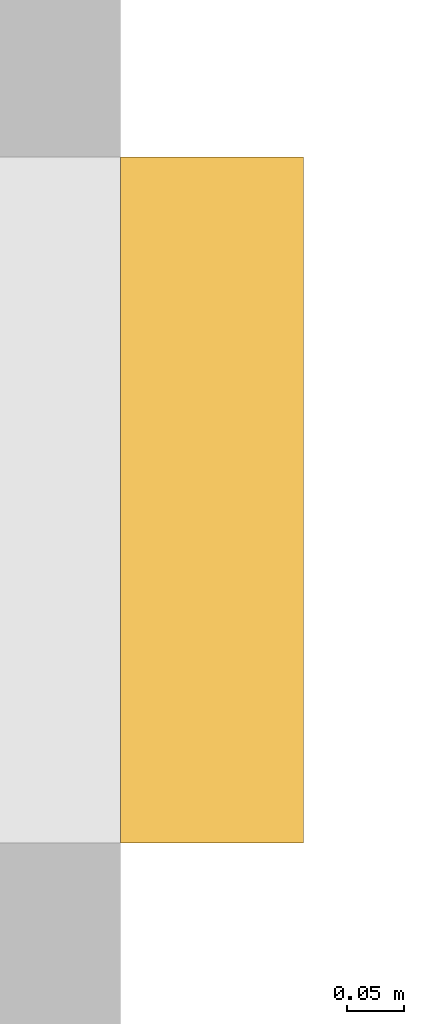
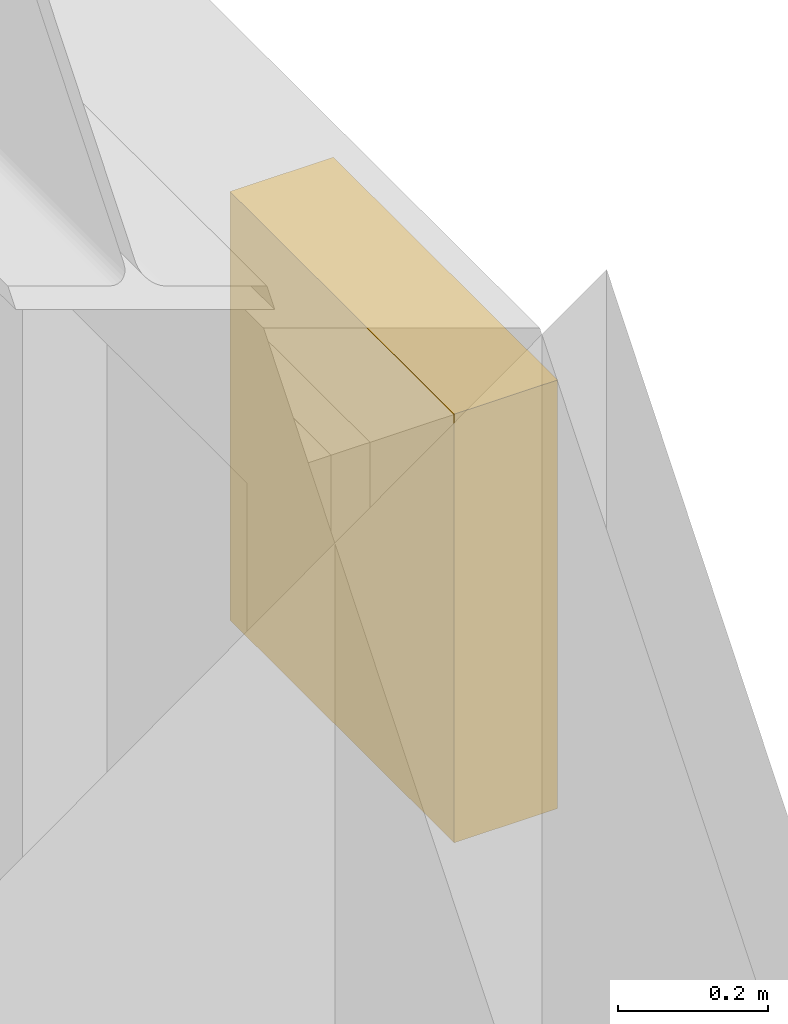
# One storey, part 12 of 12: 1 shading device.
"""IFC4 building model written with IfcOpenShell, lengths in metres."""

from ifc_helpers import new_model, si_unit, direction, frame, origin, origin_2d, place, context, subcontext, project, spatial, rectangle, extrude, material, type_object, element, save


model = new_model("IFC4")

# Units and contexts
model_context = context("Model", 3, precision=1e-05, world=origin(), true_north=direction((0.0, 1.0)))
body_context = subcontext(model_context, "Body", "Model", "MODEL_VIEW")
ifc_project = project(units=[si_unit("LENGTHUNIT", "METRE"), si_unit("AREAUNIT", "SQUARE_METRE"), si_unit("VOLUMEUNIT", "CUBIC_METRE"), si_unit("PLANEANGLEUNIT", "RADIAN"), si_unit("MASSUNIT", "GRAM", prefix="KILO")], contexts=[model_context])

# Site, building, storey
site_placement = place(None, origin())
site = spatial("IfcSite", under=ifc_project, at=site_placement, CompositionType="ELEMENT")
building_placement = place(site_placement, origin())
building = spatial("IfcBuilding", under=site, at=building_placement, Name="Orvandelia Arch Residences", CompositionType="ELEMENT")
storey_placement = place(building_placement, frame((0.0, 0.0, 57.39990234375)))
storey = spatial("IfcBuildingStorey", under=building, at=storey_placement, Name="L14", CompositionType="ELEMENT", Elevation=57.39990234375)

# Shading device
ifc_material = material(Name="Anodised Champagne-Bronze Extruded Aluminium", Category="aluminium")
shading_device_type = type_object("IfcShadingDeviceType", Name="SHD-JALOUSIE-SCREEN", PredefinedType="JALOUSIE", material=ifc_material)
shading_device_placement = place(storey_placement, frame((24.080078125, 20.284912109375, 1.55029296875), z_axis=(0.0, 0.0, 1.0), x_axis=(0.0, -1.0, 0.0)))
element("IfcShadingDevice", 1, at=shading_device_placement, inside=storey, type_object=shading_device_type, Name="Bronze Jalousie Sun-Shade L14-007", PredefinedType="JALOUSIE", context=body_context, shape_type="SweptSolid", body=[
    extrude(rectangle(XDim=0.60009765625, YDim=0.159912109375, at=origin_2d()), origin(), (0.0, 0.0, 1.0), 0.699951171875),
])

save(model, "model.ifc")
